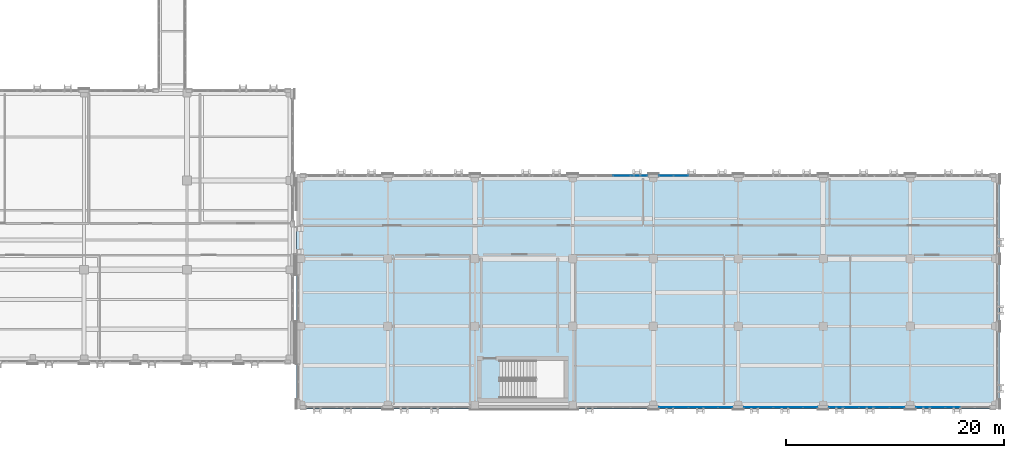
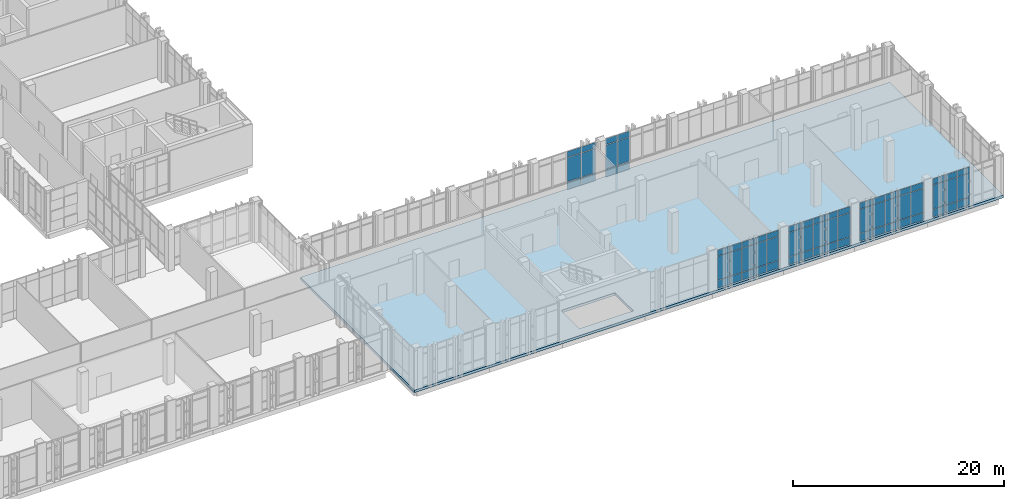
# One storey, part 148 of 189: 66 plates, 1 slab, 6 elements without a shape of their own.
"""IFC4 building model written with IfcOpenShell, lengths in metres."""

from ifc_helpers import new_model, si_unit, direction, frame, origin, origin_2d, place, context, subcontext, project, spatial, polyline, rectangle, outline, extrude, material, layer, layer_set, type_object, element, aggregate, save


model = new_model("IFC4")

# Units and contexts
model_context = context("Model", 3, precision=1e-05, world=origin(), true_north=direction((0.0, 1.0)))
body_context = subcontext(model_context, "Body", "Model", "MODEL_VIEW")
ifc_project = project(units=[si_unit("LENGTHUNIT", "METRE"), si_unit("AREAUNIT", "SQUARE_METRE"), si_unit("VOLUMEUNIT", "CUBIC_METRE"), si_unit("PLANEANGLEUNIT", "RADIAN"), si_unit("MASSUNIT", "GRAM", prefix="KILO")], contexts=[model_context])

# Site, building, storey
site_placement = place(None, origin())
site = spatial("IfcSite", under=ifc_project, at=site_placement, CompositionType="ELEMENT")
building_placement = place(site_placement, origin())
building = spatial("IfcBuilding", under=site, at=building_placement, Name="Qalavern Law Courts", CompositionType="ELEMENT")
storey_placement = place(building_placement, frame((0.0, 0.0, 5.39990234375)))
storey = spatial("IfcBuildingStorey", under=building, at=storey_placement, Name="L01", CompositionType="ELEMENT", Elevation=5.39990234375)

# Curtain wall, plates
ifc_material_1 = material(Name="Anodised aluminium and insulated glazing", Category="aluminium")
ifc_layer_1 = layer(ifc_material_1, 0.172119140625)
ifc_layer_set_1 = layer_set([ifc_layer_1], Name="Anodised aluminium and insulated glazing")
curtain_wall_type = type_object("IfcCurtainWallType", Name="ENV-CW-COURT", PredefinedType="USERDEFINED", material=ifc_layer_set_1)
curtain_wall_1_placement = place(storey_placement, origin())
curtain_wall_1 = element("IfcCurtainWall", 1, at=curtain_wall_1_placement, inside=storey, type_object=curtain_wall_type, Name="V6 unitised curtain wall L01 south 4", ObjectType="UNITISED CURTAIN WALL", PredefinedType="USERDEFINED")
ifc_material_2 = material(Name="Insulated low-E acoustic glazing", Category="glass")
ifc_layer_2 = layer(ifc_material_2, 0.02392578125)
ifc_layer_set_2 = layer_set([ifc_layer_2], Name="Insulated low-E acoustic glazing")
plate_type_1 = type_object("IfcPlateType", Name="ENV-CWP-24", PredefinedType="CURTAIN_PANEL", material=ifc_layer_set_2)
plate_1_placement = place(storey_placement, frame((135.39208984375, 1.16259765625, 0.048095703125), z_axis=(0.0, 0.0, 1.0), x_axis=(1.0, 0.0, 0.0)))
plate_1 = element("IfcPlate", 2, at=plate_1_placement, type_object=plate_type_1, Name="CW-03 panel 1.1", PredefinedType="CURTAIN_PANEL", context=body_context, shape_type="SweptSolid", body=[
    extrude(rectangle(XDim=1.2880859375, YDim=0.02392578125, at=origin_2d()), origin(), (0.0, 0.0, 1.0), 0.8779296875),
])
plate_2_placement = place(storey_placement, frame((135.39208984375, 1.16259765625, 0.97412109375), z_axis=(0.0, 0.0, 1.0), x_axis=(1.0, 0.0, 0.0)))
plate_2 = element("IfcPlate", 3, at=plate_2_placement, type_object=plate_type_1, Name="CW-03 panel 1.2", PredefinedType="CURTAIN_PANEL", context=body_context, shape_type="SweptSolid", body=[
    extrude(rectangle(XDim=1.2880859375, YDim=0.02392578125, at=origin_2d()), origin(), (0.0, 0.0, 1.0), 2.761962890625),
])
plate_3_placement = place(storey_placement, frame((135.39208984375, 1.16259765625, 3.7841796875), z_axis=(0.0, 0.0, 1.0), x_axis=(1.0, 0.0, 0.0)))
plate_3 = element("IfcPlate", 4, at=plate_3_placement, type_object=plate_type_1, Name="CW-03 panel 1.3", PredefinedType="CURTAIN_PANEL", context=body_context, shape_type="SweptSolid", body=[
    extrude(rectangle(XDim=1.2880859375, YDim=0.02392578125, at=origin_2d()), origin(), (0.0, 0.0, 1.0), 0.677978515625),
])
plate_4_placement = place(storey_placement, frame((136.739990234375, 1.16259765625, 0.048095703125), z_axis=(0.0, 0.0, 1.0), x_axis=(1.0, 0.0, 0.0)))
plate_4 = element("IfcPlate", 5, at=plate_4_placement, type_object=plate_type_1, Name="CW-03 panel 2.1", PredefinedType="CURTAIN_PANEL", context=body_context, shape_type="SweptSolid", body=[
    extrude(rectangle(XDim=1.31201171875, YDim=0.02392578125, at=origin_2d()), origin(), (0.0, 0.0, 1.0), 0.8779296875),
])
plate_5_placement = place(storey_placement, frame((136.739990234375, 1.16259765625, 0.97412109375), z_axis=(0.0, 0.0, 1.0), x_axis=(1.0, 0.0, 0.0)))
plate_5 = element("IfcPlate", 6, at=plate_5_placement, type_object=plate_type_1, Name="CW-03 panel 2.2", PredefinedType="CURTAIN_PANEL", context=body_context, shape_type="SweptSolid", body=[
    extrude(rectangle(XDim=1.31201171875, YDim=0.02392578125, at=origin_2d()), origin(), (0.0, 0.0, 1.0), 2.761962890625),
])
plate_6_placement = place(storey_placement, frame((136.739990234375, 1.16259765625, 3.7841796875), z_axis=(0.0, 0.0, 1.0), x_axis=(1.0, 0.0, 0.0)))
plate_6 = element("IfcPlate", 7, at=plate_6_placement, type_object=plate_type_1, Name="CW-03 panel 2.3", PredefinedType="CURTAIN_PANEL", context=body_context, shape_type="SweptSolid", body=[
    extrude(rectangle(XDim=1.31201171875, YDim=0.02392578125, at=origin_2d()), origin(), (0.0, 0.0, 1.0), 0.677978515625),
])
plate_7_placement = place(storey_placement, frame((138.10009765625, 1.16259765625, 0.048095703125), z_axis=(0.0, 0.0, 1.0), x_axis=(1.0, 0.0, 0.0)))
plate_7 = element("IfcPlate", 8, at=plate_7_placement, type_object=plate_type_1, Name="CW-03 panel 3.1", PredefinedType="CURTAIN_PANEL", context=body_context, shape_type="SweptSolid", body=[
    extrude(rectangle(XDim=1.31201171875, YDim=0.02392578125, at=origin_2d()), origin(), (0.0, 0.0, 1.0), 0.8779296875),
])
plate_8_placement = place(storey_placement, frame((138.10009765625, 1.16259765625, 0.97412109375), z_axis=(0.0, 0.0, 1.0), x_axis=(1.0, 0.0, 0.0)))
plate_8 = element("IfcPlate", 9, at=plate_8_placement, type_object=plate_type_1, Name="CW-03 panel 3.2", PredefinedType="CURTAIN_PANEL", context=body_context, shape_type="SweptSolid", body=[
    extrude(rectangle(XDim=1.31201171875, YDim=0.02392578125, at=origin_2d()), origin(), (0.0, 0.0, 1.0), 2.761962890625),
])
plate_9_placement = place(storey_placement, frame((138.10009765625, 1.16259765625, 3.7841796875), z_axis=(0.0, 0.0, 1.0), x_axis=(1.0, 0.0, 0.0)))
plate_9 = element("IfcPlate", 10, at=plate_9_placement, type_object=plate_type_1, Name="CW-03 panel 3.3", PredefinedType="CURTAIN_PANEL", context=body_context, shape_type="SweptSolid", body=[
    extrude(rectangle(XDim=1.31201171875, YDim=0.02392578125, at=origin_2d()), origin(), (0.0, 0.0, 1.0), 0.677978515625),
])
plate_10_placement = place(storey_placement, frame((139.4599609375, 1.16259765625, 0.048095703125), z_axis=(0.0, 0.0, 1.0), x_axis=(1.0, 0.0, 0.0)))
plate_10 = element("IfcPlate", 11, at=plate_10_placement, type_object=plate_type_1, Name="CW-03 panel 4.1", PredefinedType="CURTAIN_PANEL", context=body_context, shape_type="SweptSolid", body=[
    extrude(rectangle(XDim=1.31201171875, YDim=0.02392578125, at=origin_2d()), origin(), (0.0, 0.0, 1.0), 0.8779296875),
])
plate_11_placement = place(storey_placement, frame((139.4599609375, 1.16259765625, 0.97412109375), z_axis=(0.0, 0.0, 1.0), x_axis=(1.0, 0.0, 0.0)))
plate_11 = element("IfcPlate", 12, at=plate_11_placement, type_object=plate_type_1, Name="CW-03 panel 4.2", PredefinedType="CURTAIN_PANEL", context=body_context, shape_type="SweptSolid", body=[
    extrude(rectangle(XDim=1.31201171875, YDim=0.02392578125, at=origin_2d()), origin(), (0.0, 0.0, 1.0), 2.761962890625),
])
plate_12_placement = place(storey_placement, frame((139.4599609375, 1.16259765625, 3.7841796875), z_axis=(0.0, 0.0, 1.0), x_axis=(1.0, 0.0, 0.0)))
plate_12 = element("IfcPlate", 13, at=plate_12_placement, type_object=plate_type_1, Name="CW-03 panel 4.3", PredefinedType="CURTAIN_PANEL", context=body_context, shape_type="SweptSolid", body=[
    extrude(rectangle(XDim=1.31201171875, YDim=0.02392578125, at=origin_2d()), origin(), (0.0, 0.0, 1.0), 0.677978515625),
])
plate_13_placement = place(storey_placement, frame((140.80810546875, 1.16259765625, 0.048095703125), z_axis=(0.0, 0.0, 1.0), x_axis=(1.0, 0.0, 0.0)))
plate_13 = element("IfcPlate", 14, at=plate_13_placement, type_object=plate_type_1, Name="CW-03 panel 5.1", PredefinedType="CURTAIN_PANEL", context=body_context, shape_type="SweptSolid", body=[
    extrude(rectangle(XDim=1.2880859375, YDim=0.02392578125, at=origin_2d()), origin(), (0.0, 0.0, 1.0), 0.8779296875),
])
plate_14_placement = place(storey_placement, frame((140.80810546875, 1.16259765625, 0.97412109375), z_axis=(0.0, 0.0, 1.0), x_axis=(1.0, 0.0, 0.0)))
plate_14 = element("IfcPlate", 15, at=plate_14_placement, type_object=plate_type_1, Name="CW-03 panel 5.2", PredefinedType="CURTAIN_PANEL", context=body_context, shape_type="SweptSolid", body=[
    extrude(rectangle(XDim=1.2880859375, YDim=0.02392578125, at=origin_2d()), origin(), (0.0, 0.0, 1.0), 2.761962890625),
])
plate_15_placement = place(storey_placement, frame((140.80810546875, 1.16259765625, 3.7841796875), z_axis=(0.0, 0.0, 1.0), x_axis=(1.0, 0.0, 0.0)))
plate_15 = element("IfcPlate", 16, at=plate_15_placement, type_object=plate_type_1, Name="CW-03 panel 5.3", PredefinedType="CURTAIN_PANEL", context=body_context, shape_type="SweptSolid", body=[
    extrude(rectangle(XDim=1.2880859375, YDim=0.02392578125, at=origin_2d()), origin(), (0.0, 0.0, 1.0), 0.677978515625),
])
aggregate(curtain_wall_1, [plate_1, plate_2, plate_3, plate_4, plate_5, plate_6, plate_7, plate_8, plate_9, plate_10, plate_11, plate_12, plate_13, plate_14, plate_15])

curtain_wall_2_placement = place(storey_placement, origin())
curtain_wall_2 = element("IfcCurtainWall", 17, at=curtain_wall_2_placement, inside=storey, type_object=curtain_wall_type, Name="V6 unitised curtain wall L01 north 4", ObjectType="UNITISED CURTAIN WALL", PredefinedType="USERDEFINED")
plate_16_placement = place(storey_placement, frame((136.739990234375, 22.4375, 0.048095703125), z_axis=(0.0, 0.0, 1.0), x_axis=(-1.0, 0.0, 0.0)))
plate_16 = element("IfcPlate", 18, at=plate_16_placement, type_object=plate_type_1, Name="CW-03 panel 4.1", PredefinedType="CURTAIN_PANEL", context=body_context, shape_type="SweptSolid", body=[
    extrude(rectangle(XDim=1.31201171875, YDim=0.02392578125, at=origin_2d()), origin(), (0.0, 0.0, 1.0), 0.8779296875),
])
plate_17_placement = place(storey_placement, frame((136.739990234375, 22.4375, 0.97412109375), z_axis=(0.0, 0.0, 1.0), x_axis=(-1.0, 0.0, 0.0)))
plate_17 = element("IfcPlate", 19, at=plate_17_placement, type_object=plate_type_1, Name="CW-03 panel 4.2", PredefinedType="CURTAIN_PANEL", context=body_context, shape_type="SweptSolid", body=[
    extrude(rectangle(XDim=1.31201171875, YDim=0.02392578125, at=origin_2d()), origin(), (0.0, 0.0, 1.0), 2.761962890625),
])
plate_18_placement = place(storey_placement, frame((136.739990234375, 22.4375, 3.7841796875), z_axis=(0.0, 0.0, 1.0), x_axis=(-1.0, 0.0, 0.0)))
plate_18 = element("IfcPlate", 20, at=plate_18_placement, type_object=plate_type_1, Name="CW-03 panel 4.3", PredefinedType="CURTAIN_PANEL", context=body_context, shape_type="SweptSolid", body=[
    extrude(rectangle(XDim=1.31201171875, YDim=0.02392578125, at=origin_2d()), origin(), (0.0, 0.0, 1.0), 0.677978515625),
])
plate_19_placement = place(storey_placement, frame((135.39208984375, 22.4375, 0.048095703125), z_axis=(0.0, 0.0, 1.0), x_axis=(-1.0, 0.0, 0.0)))
plate_19 = element("IfcPlate", 21, at=plate_19_placement, type_object=plate_type_1, Name="CW-03 panel 5.1", PredefinedType="CURTAIN_PANEL", context=body_context, shape_type="SweptSolid", body=[
    extrude(rectangle(XDim=1.2880859375, YDim=0.02392578125, at=origin_2d()), origin(), (0.0, 0.0, 1.0), 0.8779296875),
])
plate_20_placement = place(storey_placement, frame((135.39208984375, 22.4375, 0.97412109375), z_axis=(0.0, 0.0, 1.0), x_axis=(-1.0, 0.0, 0.0)))
plate_20 = element("IfcPlate", 22, at=plate_20_placement, type_object=plate_type_1, Name="CW-03 panel 5.2", PredefinedType="CURTAIN_PANEL", context=body_context, shape_type="SweptSolid", body=[
    extrude(rectangle(XDim=1.2880859375, YDim=0.02392578125, at=origin_2d()), origin(), (0.0, 0.0, 1.0), 2.761962890625),
])
plate_21_placement = place(storey_placement, frame((135.39208984375, 22.4375, 3.7841796875), z_axis=(0.0, 0.0, 1.0), x_axis=(-1.0, 0.0, 0.0)))
plate_21 = element("IfcPlate", 23, at=plate_21_placement, type_object=plate_type_1, Name="CW-03 panel 5.3", PredefinedType="CURTAIN_PANEL", context=body_context, shape_type="SweptSolid", body=[
    extrude(rectangle(XDim=1.2880859375, YDim=0.02392578125, at=origin_2d()), origin(), (0.0, 0.0, 1.0), 0.677978515625),
])
aggregate(curtain_wall_2, [plate_16, plate_17, plate_18, plate_19, plate_20, plate_21])

curtain_wall_3_placement = place(storey_placement, origin())
curtain_wall_3 = element("IfcCurtainWall", 24, at=curtain_wall_3_placement, inside=storey, type_object=curtain_wall_type, Name="V6 unitised curtain wall L01 south 5", ObjectType="UNITISED CURTAIN WALL", PredefinedType="USERDEFINED")
ifc_layer_3 = layer(ifc_material_2, 0.028076171875)
ifc_layer_set_3 = layer_set([ifc_layer_3], Name="Insulated low-E acoustic glazing")
plate_type_2 = type_object("IfcPlateType", Name="ENV-CWP-28", PredefinedType="CURTAIN_PANEL", material=ifc_layer_set_3)
plate_22_placement = place(storey_placement, frame((143.19189453125, 1.16259765625, 0.048095703125), z_axis=(0.0, 0.0, 1.0), x_axis=(1.0, 0.0, 0.0)))
plate_22 = element("IfcPlate", 25, at=plate_22_placement, type_object=plate_type_2, Name="CW-03 panel 1.1", PredefinedType="CURTAIN_PANEL", context=body_context, shape_type="SweptSolid", body=[
    extrude(rectangle(XDim=1.2880859375, YDim=0.028076171875, at=origin_2d()), origin(), (0.0, 0.0, 1.0), 0.8779296875),
])
plate_23_placement = place(storey_placement, frame((143.19189453125, 1.16259765625, 0.97412109375), z_axis=(0.0, 0.0, 1.0), x_axis=(1.0, 0.0, 0.0)))
plate_23 = element("IfcPlate", 26, at=plate_23_placement, type_object=plate_type_2, Name="CW-03 panel 1.2", PredefinedType="CURTAIN_PANEL", context=body_context, shape_type="SweptSolid", body=[
    extrude(rectangle(XDim=1.2880859375, YDim=0.028076171875, at=origin_2d()), origin(), (0.0, 0.0, 1.0), 2.761962890625),
])
plate_24_placement = place(storey_placement, frame((143.19189453125, 1.16259765625, 3.7841796875), z_axis=(0.0, 0.0, 1.0), x_axis=(1.0, 0.0, 0.0)))
plate_24 = element("IfcPlate", 27, at=plate_24_placement, type_object=plate_type_2, Name="CW-03 panel 1.3", PredefinedType="CURTAIN_PANEL", context=body_context, shape_type="SweptSolid", body=[
    extrude(rectangle(XDim=1.2880859375, YDim=0.028076171875, at=origin_2d()), origin(), (0.0, 0.0, 1.0), 0.677978515625),
])
plate_25_placement = place(storey_placement, frame((144.5400390625, 1.16259765625, 0.048095703125), z_axis=(0.0, 0.0, 1.0), x_axis=(1.0, 0.0, 0.0)))
plate_25 = element("IfcPlate", 28, at=plate_25_placement, type_object=plate_type_2, Name="CW-03 panel 2.1", PredefinedType="CURTAIN_PANEL", context=body_context, shape_type="SweptSolid", body=[
    extrude(rectangle(XDim=1.31201171875, YDim=0.028076171875, at=origin_2d()), origin(), (0.0, 0.0, 1.0), 0.8779296875),
])
plate_26_placement = place(storey_placement, frame((144.5400390625, 1.16259765625, 0.97412109375), z_axis=(0.0, 0.0, 1.0), x_axis=(1.0, 0.0, 0.0)))
plate_26 = element("IfcPlate", 29, at=plate_26_placement, type_object=plate_type_2, Name="CW-03 panel 2.2", PredefinedType="CURTAIN_PANEL", context=body_context, shape_type="SweptSolid", body=[
    extrude(rectangle(XDim=1.31201171875, YDim=0.028076171875, at=origin_2d()), origin(), (0.0, 0.0, 1.0), 2.761962890625),
])
plate_27_placement = place(storey_placement, frame((144.5400390625, 1.16259765625, 3.7841796875), z_axis=(0.0, 0.0, 1.0), x_axis=(1.0, 0.0, 0.0)))
plate_27 = element("IfcPlate", 30, at=plate_27_placement, type_object=plate_type_2, Name="CW-03 panel 2.3", PredefinedType="CURTAIN_PANEL", context=body_context, shape_type="SweptSolid", body=[
    extrude(rectangle(XDim=1.31201171875, YDim=0.028076171875, at=origin_2d()), origin(), (0.0, 0.0, 1.0), 0.677978515625),
])
plate_28_placement = place(storey_placement, frame((145.89990234375, 1.16259765625, 0.048095703125), z_axis=(0.0, 0.0, 1.0), x_axis=(1.0, 0.0, 0.0)))
plate_28 = element("IfcPlate", 31, at=plate_28_placement, type_object=plate_type_2, Name="CW-03 panel 3.1", PredefinedType="CURTAIN_PANEL", context=body_context, shape_type="SweptSolid", body=[
    extrude(rectangle(XDim=1.31201171875, YDim=0.028076171875, at=origin_2d()), origin(), (0.0, 0.0, 1.0), 0.8779296875),
])
plate_29_placement = place(storey_placement, frame((145.89990234375, 1.16259765625, 0.97412109375), z_axis=(0.0, 0.0, 1.0), x_axis=(1.0, 0.0, 0.0)))
plate_29 = element("IfcPlate", 32, at=plate_29_placement, type_object=plate_type_2, Name="CW-03 panel 3.2", PredefinedType="CURTAIN_PANEL", context=body_context, shape_type="SweptSolid", body=[
    extrude(rectangle(XDim=1.31201171875, YDim=0.028076171875, at=origin_2d()), origin(), (0.0, 0.0, 1.0), 2.761962890625),
])
plate_30_placement = place(storey_placement, frame((145.89990234375, 1.16259765625, 3.7841796875), z_axis=(0.0, 0.0, 1.0), x_axis=(1.0, 0.0, 0.0)))
plate_30 = element("IfcPlate", 33, at=plate_30_placement, type_object=plate_type_2, Name="CW-03 panel 3.3", PredefinedType="CURTAIN_PANEL", context=body_context, shape_type="SweptSolid", body=[
    extrude(rectangle(XDim=1.31201171875, YDim=0.028076171875, at=origin_2d()), origin(), (0.0, 0.0, 1.0), 0.677978515625),
])
plate_31_placement = place(storey_placement, frame((147.260009765625, 1.16259765625, 0.048095703125), z_axis=(0.0, 0.0, 1.0), x_axis=(1.0, 0.0, 0.0)))
plate_31 = element("IfcPlate", 34, at=plate_31_placement, type_object=plate_type_2, Name="CW-03 panel 4.1", PredefinedType="CURTAIN_PANEL", context=body_context, shape_type="SweptSolid", body=[
    extrude(rectangle(XDim=1.31201171875, YDim=0.028076171875, at=origin_2d()), origin(), (0.0, 0.0, 1.0), 0.8779296875),
])
plate_32_placement = place(storey_placement, frame((147.260009765625, 1.16259765625, 0.97412109375), z_axis=(0.0, 0.0, 1.0), x_axis=(1.0, 0.0, 0.0)))
plate_32 = element("IfcPlate", 35, at=plate_32_placement, type_object=plate_type_2, Name="CW-03 panel 4.2", PredefinedType="CURTAIN_PANEL", context=body_context, shape_type="SweptSolid", body=[
    extrude(rectangle(XDim=1.31201171875, YDim=0.028076171875, at=origin_2d()), origin(), (0.0, 0.0, 1.0), 2.761962890625),
])
plate_33_placement = place(storey_placement, frame((147.260009765625, 1.16259765625, 3.7841796875), z_axis=(0.0, 0.0, 1.0), x_axis=(1.0, 0.0, 0.0)))
plate_33 = element("IfcPlate", 36, at=plate_33_placement, type_object=plate_type_2, Name="CW-03 panel 4.3", PredefinedType="CURTAIN_PANEL", context=body_context, shape_type="SweptSolid", body=[
    extrude(rectangle(XDim=1.31201171875, YDim=0.028076171875, at=origin_2d()), origin(), (0.0, 0.0, 1.0), 0.677978515625),
])
plate_34_placement = place(storey_placement, frame((148.60791015625, 1.16259765625, 0.048095703125), z_axis=(0.0, 0.0, 1.0), x_axis=(1.0, 0.0, 0.0)))
plate_34 = element("IfcPlate", 37, at=plate_34_placement, type_object=plate_type_2, Name="CW-03 panel 5.1", PredefinedType="CURTAIN_PANEL", context=body_context, shape_type="SweptSolid", body=[
    extrude(rectangle(XDim=1.2880859375, YDim=0.028076171875, at=origin_2d()), origin(), (0.0, 0.0, 1.0), 0.8779296875),
])
plate_35_placement = place(storey_placement, frame((148.60791015625, 1.16259765625, 0.97412109375), z_axis=(0.0, 0.0, 1.0), x_axis=(1.0, 0.0, 0.0)))
plate_35 = element("IfcPlate", 38, at=plate_35_placement, type_object=plate_type_2, Name="CW-03 panel 5.2", PredefinedType="CURTAIN_PANEL", context=body_context, shape_type="SweptSolid", body=[
    extrude(rectangle(XDim=1.2880859375, YDim=0.028076171875, at=origin_2d()), origin(), (0.0, 0.0, 1.0), 2.761962890625),
])
plate_36_placement = place(storey_placement, frame((148.60791015625, 1.16259765625, 3.7841796875), z_axis=(0.0, 0.0, 1.0), x_axis=(1.0, 0.0, 0.0)))
plate_36 = element("IfcPlate", 39, at=plate_36_placement, type_object=plate_type_2, Name="CW-03 panel 5.3", PredefinedType="CURTAIN_PANEL", context=body_context, shape_type="SweptSolid", body=[
    extrude(rectangle(XDim=1.2880859375, YDim=0.028076171875, at=origin_2d()), origin(), (0.0, 0.0, 1.0), 0.677978515625),
])
aggregate(curtain_wall_3, [plate_22, plate_23, plate_24, plate_25, plate_26, plate_27, plate_28, plate_29, plate_30, plate_31, plate_32, plate_33, plate_34, plate_35, plate_36])

curtain_wall_4_placement = place(storey_placement, origin())
curtain_wall_4 = element("IfcCurtainWall", 40, at=curtain_wall_4_placement, inside=storey, type_object=curtain_wall_type, Name="V6 unitised curtain wall L01 north 5", ObjectType="UNITISED CURTAIN WALL", PredefinedType="USERDEFINED")
plate_37_placement = place(storey_placement, frame((132.887939453125, 22.4375, 0.048095703125), z_axis=(0.0, 0.0, 1.0), x_axis=(-1.0, 0.0, 0.0)))
plate_37 = element("IfcPlate", 41, at=plate_37_placement, type_object=plate_type_2, Name="CW-03 panel 1.1", PredefinedType="CURTAIN_PANEL", context=body_context, shape_type="SweptSolid", body=[
    extrude(rectangle(XDim=1.528076171875, YDim=0.028076171875, at=origin_2d()), origin(), (0.0, 0.0, 1.0), 0.8779296875),
])
plate_38_placement = place(storey_placement, frame((132.887939453125, 22.4375, 0.97412109375), z_axis=(0.0, 0.0, 1.0), x_axis=(-1.0, 0.0, 0.0)))
plate_38 = element("IfcPlate", 42, at=plate_38_placement, type_object=plate_type_2, Name="CW-03 panel 1.2", PredefinedType="CURTAIN_PANEL", context=body_context, shape_type="SweptSolid", body=[
    extrude(rectangle(XDim=1.528076171875, YDim=0.028076171875, at=origin_2d()), origin(), (0.0, 0.0, 1.0), 2.761962890625),
])
plate_39_placement = place(storey_placement, frame((132.887939453125, 22.4375, 3.7841796875), z_axis=(0.0, 0.0, 1.0), x_axis=(-1.0, 0.0, 0.0)))
plate_39 = element("IfcPlate", 43, at=plate_39_placement, type_object=plate_type_2, Name="CW-03 panel 1.3", PredefinedType="CURTAIN_PANEL", context=body_context, shape_type="SweptSolid", body=[
    extrude(rectangle(XDim=1.528076171875, YDim=0.028076171875, at=origin_2d()), origin(), (0.0, 0.0, 1.0), 0.677978515625),
])
plate_40_placement = place(storey_placement, frame((131.300048828125, 22.4375, 0.048095703125), z_axis=(0.0, 0.0, 1.0), x_axis=(-1.0, 0.0, 0.0)))
plate_40 = element("IfcPlate", 44, at=plate_40_placement, type_object=plate_type_2, Name="CW-03 panel 2.1", PredefinedType="CURTAIN_PANEL", context=body_context, shape_type="SweptSolid", body=[
    extrude(rectangle(XDim=1.552001953125, YDim=0.028076171875, at=origin_2d()), origin(), (0.0, 0.0, 1.0), 0.8779296875),
])
plate_41_placement = place(storey_placement, frame((131.300048828125, 22.4375, 0.97412109375), z_axis=(0.0, 0.0, 1.0), x_axis=(-1.0, 0.0, 0.0)))
plate_41 = element("IfcPlate", 45, at=plate_41_placement, type_object=plate_type_2, Name="CW-03 panel 2.2", PredefinedType="CURTAIN_PANEL", context=body_context, shape_type="SweptSolid", body=[
    extrude(rectangle(XDim=1.552001953125, YDim=0.028076171875, at=origin_2d()), origin(), (0.0, 0.0, 1.0), 2.761962890625),
])
plate_42_placement = place(storey_placement, frame((131.300048828125, 22.4375, 3.7841796875), z_axis=(0.0, 0.0, 1.0), x_axis=(-1.0, 0.0, 0.0)))
plate_42 = element("IfcPlate", 46, at=plate_42_placement, type_object=plate_type_2, Name="CW-03 panel 2.3", PredefinedType="CURTAIN_PANEL", context=body_context, shape_type="SweptSolid", body=[
    extrude(rectangle(XDim=1.552001953125, YDim=0.028076171875, at=origin_2d()), origin(), (0.0, 0.0, 1.0), 0.677978515625),
])
aggregate(curtain_wall_4, [plate_37, plate_38, plate_39, plate_40, plate_41, plate_42])

curtain_wall_5_placement = place(storey_placement, origin())
curtain_wall_5 = element("IfcCurtainWall", 47, at=curtain_wall_5_placement, inside=storey, type_object=curtain_wall_type, Name="V6 unitised curtain wall L01 south 6", ObjectType="UNITISED CURTAIN WALL", PredefinedType="USERDEFINED")
ifc_layer_4 = layer(ifc_material_2, 0.031982421875)
ifc_layer_set_4 = layer_set([ifc_layer_4], Name="Insulated low-E acoustic glazing")
plate_type_3 = type_object("IfcPlateType", Name="ENV-CWP-32", PredefinedType="CURTAIN_PANEL", material=ifc_layer_set_4)
plate_43_placement = place(storey_placement, frame((151.011962890625, 1.16259765625, 0.048095703125), z_axis=(0.0, 0.0, 1.0), x_axis=(1.0, 0.0, 0.0)))
plate_43 = element("IfcPlate", 48, at=plate_43_placement, type_object=plate_type_3, Name="CW-03 panel 1.1", PredefinedType="CURTAIN_PANEL", context=body_context, shape_type="SweptSolid", body=[
    extrude(rectangle(XDim=1.327880859375, YDim=0.031982421875, at=origin_2d()), origin(), (0.0, 0.0, 1.0), 0.8779296875),
])
plate_44_placement = place(storey_placement, frame((151.011962890625, 1.16259765625, 0.97412109375), z_axis=(0.0, 0.0, 1.0), x_axis=(1.0, 0.0, 0.0)))
plate_44 = element("IfcPlate", 49, at=plate_44_placement, type_object=plate_type_3, Name="CW-03 panel 1.2", PredefinedType="CURTAIN_PANEL", context=body_context, shape_type="SweptSolid", body=[
    extrude(rectangle(XDim=1.327880859375, YDim=0.031982421875, at=origin_2d()), origin(), (0.0, 0.0, 1.0), 2.761962890625),
])
plate_45_placement = place(storey_placement, frame((151.011962890625, 1.16259765625, 3.7841796875), z_axis=(0.0, 0.0, 1.0), x_axis=(1.0, 0.0, 0.0)))
plate_45 = element("IfcPlate", 50, at=plate_45_placement, type_object=plate_type_3, Name="CW-03 panel 1.3", PredefinedType="CURTAIN_PANEL", context=body_context, shape_type="SweptSolid", body=[
    extrude(rectangle(XDim=1.327880859375, YDim=0.031982421875, at=origin_2d()), origin(), (0.0, 0.0, 1.0), 0.677978515625),
])
plate_46_placement = place(storey_placement, frame((152.39990234375, 1.16259765625, 0.048095703125), z_axis=(0.0, 0.0, 1.0), x_axis=(1.0, 0.0, 0.0)))
plate_46 = element("IfcPlate", 51, at=plate_46_placement, type_object=plate_type_3, Name="CW-03 panel 2.1", PredefinedType="CURTAIN_PANEL", context=body_context, shape_type="SweptSolid", body=[
    extrude(rectangle(XDim=1.35205078125, YDim=0.031982421875, at=origin_2d()), origin(), (0.0, 0.0, 1.0), 0.8779296875),
])
plate_47_placement = place(storey_placement, frame((152.39990234375, 1.16259765625, 0.97412109375), z_axis=(0.0, 0.0, 1.0), x_axis=(1.0, 0.0, 0.0)))
plate_47 = element("IfcPlate", 52, at=plate_47_placement, type_object=plate_type_3, Name="CW-03 panel 2.2", PredefinedType="CURTAIN_PANEL", context=body_context, shape_type="SweptSolid", body=[
    extrude(rectangle(XDim=1.35205078125, YDim=0.031982421875, at=origin_2d()), origin(), (0.0, 0.0, 1.0), 2.761962890625),
])
plate_48_placement = place(storey_placement, frame((152.39990234375, 1.16259765625, 3.7841796875), z_axis=(0.0, 0.0, 1.0), x_axis=(1.0, 0.0, 0.0)))
plate_48 = element("IfcPlate", 53, at=plate_48_placement, type_object=plate_type_3, Name="CW-03 panel 2.3", PredefinedType="CURTAIN_PANEL", context=body_context, shape_type="SweptSolid", body=[
    extrude(rectangle(XDim=1.35205078125, YDim=0.031982421875, at=origin_2d()), origin(), (0.0, 0.0, 1.0), 0.677978515625),
])
plate_49_placement = place(storey_placement, frame((153.800048828125, 1.16259765625, 0.048095703125), z_axis=(0.0, 0.0, 1.0), x_axis=(1.0, 0.0, 0.0)))
plate_49 = element("IfcPlate", 54, at=plate_49_placement, type_object=plate_type_3, Name="CW-03 panel 3.1", PredefinedType="CURTAIN_PANEL", context=body_context, shape_type="SweptSolid", body=[
    extrude(rectangle(XDim=1.35205078125, YDim=0.031982421875, at=origin_2d()), origin(), (0.0, 0.0, 1.0), 0.8779296875),
])
plate_50_placement = place(storey_placement, frame((153.800048828125, 1.16259765625, 0.97412109375), z_axis=(0.0, 0.0, 1.0), x_axis=(1.0, 0.0, 0.0)))
plate_50 = element("IfcPlate", 55, at=plate_50_placement, type_object=plate_type_3, Name="CW-03 panel 3.2", PredefinedType="CURTAIN_PANEL", context=body_context, shape_type="SweptSolid", body=[
    extrude(rectangle(XDim=1.35205078125, YDim=0.031982421875, at=origin_2d()), origin(), (0.0, 0.0, 1.0), 2.761962890625),
])
plate_51_placement = place(storey_placement, frame((153.800048828125, 1.16259765625, 3.7841796875), z_axis=(0.0, 0.0, 1.0), x_axis=(1.0, 0.0, 0.0)))
plate_51 = element("IfcPlate", 56, at=plate_51_placement, type_object=plate_type_3, Name="CW-03 panel 3.3", PredefinedType="CURTAIN_PANEL", context=body_context, shape_type="SweptSolid", body=[
    extrude(rectangle(XDim=1.35205078125, YDim=0.031982421875, at=origin_2d()), origin(), (0.0, 0.0, 1.0), 0.677978515625),
])
plate_52_placement = place(storey_placement, frame((155.199951171875, 1.16259765625, 0.048095703125), z_axis=(0.0, 0.0, 1.0), x_axis=(1.0, 0.0, 0.0)))
plate_52 = element("IfcPlate", 57, at=plate_52_placement, type_object=plate_type_3, Name="CW-03 panel 4.1", PredefinedType="CURTAIN_PANEL", context=body_context, shape_type="SweptSolid", body=[
    extrude(rectangle(XDim=1.35205078125, YDim=0.031982421875, at=origin_2d()), origin(), (0.0, 0.0, 1.0), 0.8779296875),
])
plate_53_placement = place(storey_placement, frame((155.199951171875, 1.16259765625, 0.97412109375), z_axis=(0.0, 0.0, 1.0), x_axis=(1.0, 0.0, 0.0)))
plate_53 = element("IfcPlate", 58, at=plate_53_placement, type_object=plate_type_3, Name="CW-03 panel 4.2", PredefinedType="CURTAIN_PANEL", context=body_context, shape_type="SweptSolid", body=[
    extrude(rectangle(XDim=1.35205078125, YDim=0.031982421875, at=origin_2d()), origin(), (0.0, 0.0, 1.0), 2.761962890625),
])
plate_54_placement = place(storey_placement, frame((155.199951171875, 1.16259765625, 3.7841796875), z_axis=(0.0, 0.0, 1.0), x_axis=(1.0, 0.0, 0.0)))
plate_54 = element("IfcPlate", 59, at=plate_54_placement, type_object=plate_type_3, Name="CW-03 panel 4.3", PredefinedType="CURTAIN_PANEL", context=body_context, shape_type="SweptSolid", body=[
    extrude(rectangle(XDim=1.35205078125, YDim=0.031982421875, at=origin_2d()), origin(), (0.0, 0.0, 1.0), 0.677978515625),
])
plate_55_placement = place(storey_placement, frame((156.587890625, 1.16259765625, 0.048095703125), z_axis=(0.0, 0.0, 1.0), x_axis=(1.0, 0.0, 0.0)))
plate_55 = element("IfcPlate", 60, at=plate_55_placement, type_object=plate_type_3, Name="CW-03 panel 5.1", PredefinedType="CURTAIN_PANEL", context=body_context, shape_type="SweptSolid", body=[
    extrude(rectangle(XDim=1.327880859375, YDim=0.031982421875, at=origin_2d()), origin(), (0.0, 0.0, 1.0), 0.8779296875),
])
plate_56_placement = place(storey_placement, frame((156.587890625, 1.16259765625, 0.97412109375), z_axis=(0.0, 0.0, 1.0), x_axis=(1.0, 0.0, 0.0)))
plate_56 = element("IfcPlate", 61, at=plate_56_placement, type_object=plate_type_3, Name="CW-03 panel 5.2", PredefinedType="CURTAIN_PANEL", context=body_context, shape_type="SweptSolid", body=[
    extrude(rectangle(XDim=1.327880859375, YDim=0.031982421875, at=origin_2d()), origin(), (0.0, 0.0, 1.0), 2.761962890625),
])
plate_57_placement = place(storey_placement, frame((156.587890625, 1.16259765625, 3.7841796875), z_axis=(0.0, 0.0, 1.0), x_axis=(1.0, 0.0, 0.0)))
plate_57 = element("IfcPlate", 62, at=plate_57_placement, type_object=plate_type_3, Name="CW-03 panel 5.3", PredefinedType="CURTAIN_PANEL", context=body_context, shape_type="SweptSolid", body=[
    extrude(rectangle(XDim=1.327880859375, YDim=0.031982421875, at=origin_2d()), origin(), (0.0, 0.0, 1.0), 0.677978515625),
])
aggregate(curtain_wall_5, [plate_43, plate_44, plate_45, plate_46, plate_47, plate_48, plate_49, plate_50, plate_51, plate_52, plate_53, plate_54, plate_55, plate_56, plate_57])

curtain_wall_6_placement = place(storey_placement, origin())
curtain_wall_6 = element("IfcCurtainWall", 63, at=curtain_wall_6_placement, inside=storey, type_object=curtain_wall_type, Name="V6 unitised curtain wall L01 south 7", ObjectType="UNITISED CURTAIN WALL", PredefinedType="USERDEFINED")
ifc_layer_5 = layer(ifc_material_2, 0.035888671875)
ifc_layer_set_5 = layer_set([ifc_layer_5], Name="Insulated low-E acoustic glazing")
plate_type_4 = type_object("IfcPlateType", Name="ENV-CWP-36", PredefinedType="CURTAIN_PANEL", material=ifc_layer_set_5)
plate_58_placement = place(storey_placement, frame((158.991943359375, 1.16259765625, 0.048095703125), z_axis=(0.0, 0.0, 1.0), x_axis=(1.0, 0.0, 0.0)))
plate_58 = element("IfcPlate", 64, at=plate_58_placement, type_object=plate_type_4, Name="CW-03 panel 1.1", PredefinedType="CURTAIN_PANEL", context=body_context, shape_type="SweptSolid", body=[
    extrude(rectangle(XDim=1.2880859375, YDim=0.035888671875, at=origin_2d()), origin(), (0.0, 0.0, 1.0), 0.8779296875),
])
plate_59_placement = place(storey_placement, frame((158.991943359375, 1.16259765625, 0.97412109375), z_axis=(0.0, 0.0, 1.0), x_axis=(1.0, 0.0, 0.0)))
plate_59 = element("IfcPlate", 65, at=plate_59_placement, type_object=plate_type_4, Name="CW-03 panel 1.2", PredefinedType="CURTAIN_PANEL", context=body_context, shape_type="SweptSolid", body=[
    extrude(rectangle(XDim=1.2880859375, YDim=0.035888671875, at=origin_2d()), origin(), (0.0, 0.0, 1.0), 2.761962890625),
])
plate_60_placement = place(storey_placement, frame((158.991943359375, 1.16259765625, 3.7841796875), z_axis=(0.0, 0.0, 1.0), x_axis=(1.0, 0.0, 0.0)))
plate_60 = element("IfcPlate", 66, at=plate_60_placement, type_object=plate_type_4, Name="CW-03 panel 1.3", PredefinedType="CURTAIN_PANEL", context=body_context, shape_type="SweptSolid", body=[
    extrude(rectangle(XDim=1.2880859375, YDim=0.035888671875, at=origin_2d()), origin(), (0.0, 0.0, 1.0), 0.677978515625),
])
plate_61_placement = place(storey_placement, frame((160.340087890625, 1.16259765625, 0.048095703125), z_axis=(0.0, 0.0, 1.0), x_axis=(1.0, 0.0, 0.0)))
plate_61 = element("IfcPlate", 67, at=plate_61_placement, type_object=plate_type_4, Name="CW-03 panel 2.1", PredefinedType="CURTAIN_PANEL", context=body_context, shape_type="SweptSolid", body=[
    extrude(rectangle(XDim=1.31201171875, YDim=0.035888671875, at=origin_2d()), origin(), (0.0, 0.0, 1.0), 0.8779296875),
])
plate_62_placement = place(storey_placement, frame((160.340087890625, 1.16259765625, 0.97412109375), z_axis=(0.0, 0.0, 1.0), x_axis=(1.0, 0.0, 0.0)))
plate_62 = element("IfcPlate", 68, at=plate_62_placement, type_object=plate_type_4, Name="CW-03 panel 2.2", PredefinedType="CURTAIN_PANEL", context=body_context, shape_type="SweptSolid", body=[
    extrude(rectangle(XDim=1.31201171875, YDim=0.035888671875, at=origin_2d()), origin(), (0.0, 0.0, 1.0), 2.761962890625),
])
plate_63_placement = place(storey_placement, frame((160.340087890625, 1.16259765625, 3.7841796875), z_axis=(0.0, 0.0, 1.0), x_axis=(1.0, 0.0, 0.0)))
plate_63 = element("IfcPlate", 69, at=plate_63_placement, type_object=plate_type_4, Name="CW-03 panel 2.3", PredefinedType="CURTAIN_PANEL", context=body_context, shape_type="SweptSolid", body=[
    extrude(rectangle(XDim=1.31201171875, YDim=0.035888671875, at=origin_2d()), origin(), (0.0, 0.0, 1.0), 0.677978515625),
])
plate_64_placement = place(storey_placement, frame((161.699951171875, 1.16259765625, 0.048095703125), z_axis=(0.0, 0.0, 1.0), x_axis=(1.0, 0.0, 0.0)))
plate_64 = element("IfcPlate", 70, at=plate_64_placement, type_object=plate_type_4, Name="CW-03 panel 3.1", PredefinedType="CURTAIN_PANEL", context=body_context, shape_type="SweptSolid", body=[
    extrude(rectangle(XDim=1.31201171875, YDim=0.035888671875, at=origin_2d()), origin(), (0.0, 0.0, 1.0), 0.8779296875),
])
plate_65_placement = place(storey_placement, frame((161.699951171875, 1.16259765625, 0.97412109375), z_axis=(0.0, 0.0, 1.0), x_axis=(1.0, 0.0, 0.0)))
plate_65 = element("IfcPlate", 71, at=plate_65_placement, type_object=plate_type_4, Name="CW-03 panel 3.2", PredefinedType="CURTAIN_PANEL", context=body_context, shape_type="SweptSolid", body=[
    extrude(rectangle(XDim=1.31201171875, YDim=0.035888671875, at=origin_2d()), origin(), (0.0, 0.0, 1.0), 2.761962890625),
])
plate_66_placement = place(storey_placement, frame((161.699951171875, 1.16259765625, 3.7841796875), z_axis=(0.0, 0.0, 1.0), x_axis=(1.0, 0.0, 0.0)))
plate_66 = element("IfcPlate", 72, at=plate_66_placement, type_object=plate_type_4, Name="CW-03 panel 3.3", PredefinedType="CURTAIN_PANEL", context=body_context, shape_type="SweptSolid", body=[
    extrude(rectangle(XDim=1.31201171875, YDim=0.035888671875, at=origin_2d()), origin(), (0.0, 0.0, 1.0), 0.677978515625),
])
aggregate(curtain_wall_6, [plate_58, plate_59, plate_60, plate_61, plate_62, plate_63, plate_64, plate_65, plate_66])

# Slab
ifc_material_3 = material(Name="Concrete C40/50", Category="concrete")
ifc_layer_6 = layer(ifc_material_3, 0.300048828125)
ifc_layer_set_6 = layer_set([ifc_layer_6], Name="Concrete C40/50")
slab_type = type_object("IfcSlabType", Name="STR-SLB-L01-300", PredefinedType="FLOOR", material=ifc_layer_set_6)
slab_placement = place(storey_placement, frame((0.0, 0.0, -0.2998046875)))
element("IfcSlab", 73, at=slab_placement, inside=storey, type_object=slab_type, Name="V6 floor slab L01", PredefinedType="FLOOR", context=body_context, shape_type="SweptSolid", body=[
    extrude(outline(polyline([(101.419921875, 1.0), (166.0, 1.0), (166.0, 22.60009765625), (101.419921875, 22.60009765625), (101.419921875, 1.0)]), holes=[polyline([(120.090087890625, 2.0), (126.0, 2.0), (126.0, 5.449951171875), (120.090087890625, 5.449951171875), (120.090087890625, 2.0)])]), origin(), (0.0, 0.0, 1.0), 0.2998046875),
])

save(model, "model.ifc")
